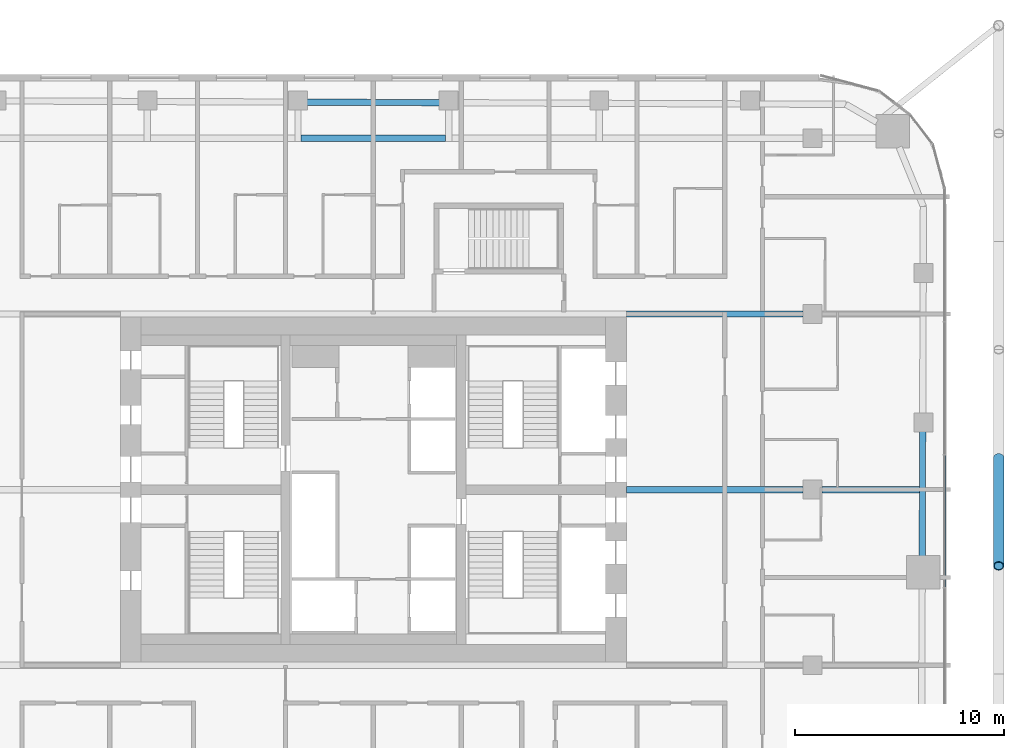
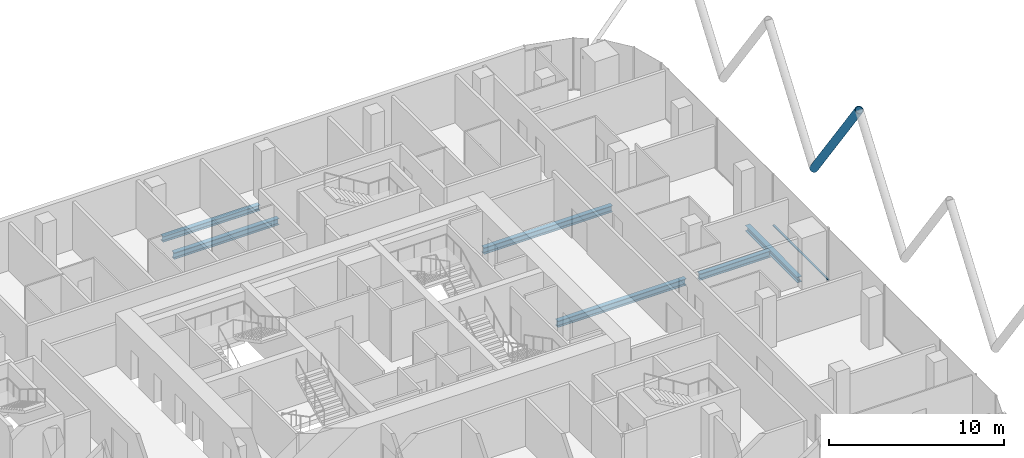
# One storey, part 12 of 33: 6 beams, 2 members, 1 element without a shape of its own.
"""IFC4 building model written with IfcOpenShell, lengths in metres."""

import ifcopenshell
import ifcopenshell.guid

model = None  # the IFC model being written
_history = None  # IfcOwnerHistory: only IFC2X3 demands one
_inside = {}  # id of a spatial element -> (the spatial element, [elements in it])
_under = {}  # id of a project, library or spatial element -> (it, [spatial elements below it])
_declared = {}  # id of a project -> (the project, [libraries it declares])
_typed = {}  # id of a type object -> (the type object, [elements of that type])
_made_of = {}  # id of a material, layer set ... -> (it, [elements and type objects made of it])


def new_model(schema):
    """Start an empty IFC model of exactly this schema.

    Asked for "IFC4X3", IfcOpenShell would pick the latest addendum, in which some entities
    have other attributes; the version numbers below select the first issue.
    IFC2X3 requires an IfcOwnerHistory on every rooted entity: one is made here for all.
    """
    global model, _history
    if schema == "IFC4X3":
        model = ifcopenshell.file(schema_version=(4, 3, 0, 0))
    else:
        model = ifcopenshell.file(schema=schema)
    _inside.clear()
    _under.clear()
    _declared.clear()
    _typed.clear()
    _made_of.clear()
    _history = None
    if model.schema == "IFC2X3":
        org = make("IfcOrganization", Name="unknown")
        user = make(
            "IfcPersonAndOrganization",
            ThePerson=make("IfcPerson", FamilyName="unknown"),
            TheOrganization=org,
        )
        app = make(
            "IfcApplication",
            ApplicationDeveloper=org,
            Version="unknown",
            ApplicationFullName="unknown",
            ApplicationIdentifier="unknown",
        )
        _history = make(
            "IfcOwnerHistory",
            OwningUser=user,
            OwningApplication=app,
            ChangeAction="ADDED",
            CreationDate=0,
        )
    return model


def make(cls, **values):
    """One entity of the class cls with the attributes given. An attribute that is None is left unset."""
    return model.create_entity(
        cls, **{name: value for name, value in values.items() if value is not None}
    )


def rooted(cls, **values):
    """An entity with a GlobalId (a new one), such as an element, a storey or a relation."""
    return make(cls, GlobalId=ifcopenshell.guid.new(), OwnerHistory=_history, **values)


def si_unit(unit_type, name, prefix=None):
    """IfcSIUnit, for example si_unit("LENGTHUNIT", "METRE", prefix="MILLI")."""
    return make("IfcSIUnit", UnitType=unit_type, Prefix=prefix, Name=name)


def assignment(units):
    """IfcUnitAssignment: the units of a project."""
    return None if units is None else make("IfcUnitAssignment", Units=units)


def point(xyz):
    """IfcCartesianPoint."""
    return None if xyz is None else make("IfcCartesianPoint", Coordinates=xyz)


def direction(xyz):
    """IfcDirection."""
    return None if xyz is None else make("IfcDirection", DirectionRatios=xyz)


def frame(location, z_axis=None, x_axis=None):
    """IfcAxis2Placement3D, a coordinate frame: its origin and axes. An axis left out is left unset."""
    return make(
        "IfcAxis2Placement3D",
        Location=point(location),
        Axis=direction(z_axis),
        RefDirection=direction(x_axis),
    )


def frame_2d(location, x_axis=None):
    """IfcAxis2Placement2D, a coordinate frame in the plane: its origin and x axis."""
    return make(
        "IfcAxis2Placement2D", Location=point(location), RefDirection=direction(x_axis)
    )


def origin():
    """The frame at (0, 0, 0) with its axes left unset."""
    return frame((0.0, 0.0, 0.0))


def origin_2d():
    """The frame at (0, 0) in the plane with its x axis left unset."""
    return frame_2d((0.0, 0.0))


def place(relative_to, where):
    """IfcLocalPlacement: puts the frame where relative to a parent placement (None: the world)."""
    return make(
        "IfcLocalPlacement", PlacementRelTo=relative_to, RelativePlacement=where
    )


def context(
    kind, dimensions, precision=None, world=None, true_north=None, identifier=None
):
    """IfcGeometricRepresentationContext, for example the 3D "Model" context."""
    return make(
        "IfcGeometricRepresentationContext",
        ContextIdentifier=identifier,
        ContextType=kind,
        CoordinateSpaceDimension=dimensions,
        Precision=precision,
        WorldCoordinateSystem=world,
        TrueNorth=true_north,
    )


def subcontext(parent, identifier, kind, view, scale=None):
    """IfcGeometricRepresentationSubContext, for example "Body" below "Model"."""
    return make(
        "IfcGeometricRepresentationSubContext",
        ContextIdentifier=identifier,
        ContextType=kind,
        ParentContext=parent,
        TargetScale=scale,
        TargetView=view,
    )


def project(units=None, contexts=None):
    """IfcProject with its units and contexts."""
    return rooted(
        "IfcProject",
        Name="project",
        RepresentationContexts=contexts,
        UnitsInContext=assignment(units),
    )


def spatial(cls, under=None, at=None, **own):
    """A site, building, storey or space (cls), placed at a placement, below another one or the project."""
    s = rooted(cls, ObjectPlacement=at, **own)
    if under is not None:
        _under.setdefault(under.id(), (under, []))[1].append(s)
    return s


def profile(cls, at=None, kind="AREA", **sizes):
    """A parametric profile (cls). Its sizes go by their IFC names, for example OverallWidth=200.0."""
    return make(cls, ProfileType=kind, Position=at, **sizes)


def rectangle(**sizes):
    """IfcRectangleProfileDef."""
    return profile("IfcRectangleProfileDef", **sizes)


def hollow_circle(**sizes):
    """IfcCircleHollowProfileDef."""
    return profile("IfcCircleHollowProfileDef", **sizes)


def i_section(**sizes):
    """IfcIShapeProfileDef."""
    return profile("IfcIShapeProfileDef", **sizes)


def extrude(swept, where, along, depth):
    """IfcExtrudedAreaSolid: the profile swept, set in the frame where, extruded along a direction by depth."""
    return make(
        "IfcExtrudedAreaSolid",
        SweptArea=swept,
        Position=where,
        ExtrudedDirection=direction(along),
        Depth=depth,
    )


def shape(context_of_items, identifier, shape_type, items):
    """IfcShapeRepresentation: the items that make up one representation, for example the "Body"."""
    return make(
        "IfcShapeRepresentation",
        ContextOfItems=context_of_items,
        RepresentationIdentifier=identifier,
        RepresentationType=shape_type,
        Items=items,
    )


def material(Name=None, Category=None):
    """IfcMaterial."""
    return make("IfcMaterial", Name=Name, Category=Category)


def layer(
    of_material, thickness, ventilated=None, Name=None, Category=None, Priority=None
):
    """IfcMaterialLayer: one layer of a wall or slab, of a material (None: an air gap)."""
    return make(
        "IfcMaterialLayer",
        Material=of_material,
        LayerThickness=thickness,
        IsVentilated=ventilated,
        Name=Name,
        Category=Category,
        Priority=Priority,
    )


def layer_set(layers, Name=None):
    """IfcMaterialLayerSet."""
    return make("IfcMaterialLayerSet", MaterialLayers=layers, LayerSetName=Name)


def material_profile(
    of_material, cross_section, Name=None, Category=None, Priority=None
):
    """IfcMaterialProfile: a cross section and its material."""
    return make(
        "IfcMaterialProfile",
        Name=Name,
        Material=of_material,
        Profile=cross_section,
        Priority=Priority,
        Category=Category,
    )


def profile_set(profiles, Name=None, composite=None):
    """IfcMaterialProfileSet."""
    return make(
        "IfcMaterialProfileSet",
        Name=Name,
        MaterialProfiles=profiles,
        CompositeProfile=composite,
    )


def made_of(thing, what):
    """Note that an element or type object is made of a material, layer set ...; save() writes the relation."""
    if what is not None:
        _made_of.setdefault(what.id(), (what, []))[1].append(thing)
    return thing


def type_object(cls, material=None, **own):
    """A type object (cls), such as IfcWallType, which elements share."""
    return made_of(rooted(cls, **own), material)


def element(
    cls,
    number,
    at=None,
    inside=None,
    cuts=None,
    type_object=None,
    material=None,
    context=None,
    identifier="Body",
    shape_type=None,
    held_by="IfcProductDefinitionShape",
    body=None,
    shapes=None,
    **own,
):
    """One element of the class cls, such as IfcWall. Its Tag is "e" and its number.

    at: its placement. inside: the storey or other place that contains it. cuts: it is an
    opening in that element (IfcRelVoidsElement). A single representation is given by context,
    identifier, shape_type and body (its items); several are given by shapes. held_by: the class
    of the entity that holds the representations. save() writes the other relations.
    """
    e = rooted(cls, Tag="e%d" % number, ObjectPlacement=at, **own)
    if body is not None:
        shapes = [shape(context, identifier, shape_type, body)]
    if shapes is not None:
        e.Representation = make(held_by, Representations=shapes)
    if inside is not None:
        _inside.setdefault(inside.id(), (inside, []))[1].append(e)
    if cuts is not None:
        rooted(
            "IfcRelVoidsElement", RelatingBuildingElement=cuts, RelatedOpeningElement=e
        )
    if type_object is not None:
        _typed.setdefault(type_object.id(), (type_object, []))[1].append(e)
    return made_of(e, material)


def aggregate(whole, parts):
    """IfcRelAggregates: a whole, such as a stair, and the parts it consists of."""
    return rooted("IfcRelAggregates", RelatingObject=whole, RelatedObjects=parts)


def save(model, path):
    """Write the relations noted so far, then the file.

    IfcRelAggregates (storeys below a building ...), IfcRelContainedInSpatialStructure (elements
    in a storey), IfcRelDefinesByType, IfcRelAssociatesMaterial and IfcRelDeclares: one each for
    every whole, place, type object, material and project.
    """
    for whole, parts in _under.values():
        aggregate(whole, parts)
    for where, things in _inside.values():
        rooted(
            "IfcRelContainedInSpatialStructure",
            RelatedElements=things,
            RelatingStructure=where,
        )
    for kind, things in _typed.values():
        rooted("IfcRelDefinesByType", RelatedObjects=things, RelatingType=kind)
    for what, things in _made_of.values():
        rooted("IfcRelAssociatesMaterial", RelatedObjects=things, RelatingMaterial=what)
    for by, libraries in _declared.values():
        rooted("IfcRelDeclares", RelatingContext=by, RelatedDefinitions=libraries)
    model.write(path)


model = new_model("IFC4")

# Units and contexts
model_context = context("Model", 3, precision=1e-05, world=origin(), true_north=direction((0.0, 1.0)))
body_context = subcontext(model_context, "Body", "Model", "MODEL_VIEW")
ifc_project = project(units=[si_unit("LENGTHUNIT", "METRE"), si_unit("AREAUNIT", "SQUARE_METRE"), si_unit("VOLUMEUNIT", "CUBIC_METRE"), si_unit("PLANEANGLEUNIT", "RADIAN"), si_unit("MASSUNIT", "GRAM", prefix="KILO")], contexts=[model_context])

# Site, building, storey
site_placement = place(None, origin())
site = spatial("IfcSite", under=ifc_project, at=site_placement, CompositionType="ELEMENT")
building_placement = place(site_placement, origin())
building = spatial("IfcBuilding", under=site, at=building_placement, Name="Marenta Gate Hotel Tower", CompositionType="ELEMENT")
storey_placement = place(building_placement, frame((0.0, 0.0, 122.89990234375)))
storey = spatial("IfcBuildingStorey", under=building, at=storey_placement, Name="L27", CompositionType="ELEMENT", Elevation=122.89990234375)

# Member
ifc_material_1 = material(Name="Steel S355J2W", Category="steel")
ifc_material_profile_1 = material_profile(ifc_material_1, hollow_circle(Radius=0.25390625, WallThickness=0.0400390625, at=origin_2d()), Name="CHS 508x40")
ifc_profile_set_1 = profile_set([ifc_material_profile_1], Name="Steel S355J2W")
member_type_1 = type_object("IfcMemberType", Name="Diagrid diagonal Z2 CHS 508x40", PredefinedType="BRACE", material=ifc_profile_set_1)
member_1_placement = place(storey_placement, frame((29.89990234375, 9.919921875, 3.14013671875), z_axis=(0.0, -0.583260841117, 0.812284919975), x_axis=(1.0, 0.0, 0.0)))
element("IfcMember", 1, at=member_1_placement, inside=storey, type_object=member_type_1, Name="L27-DG-5", PredefinedType="BRACE", context=body_context, shape_type="SweptSolid", body=[
    extrude(hollow_circle(Radius=0.25390625, WallThickness=0.0400390625, at=origin_2d()), origin(), (0.0, 0.0, 1.0), 8.86376953125),
])

# Beams
ifc_material_2 = material(Name="Steel S355", Category="steel")
ifc_material_profile_2 = material_profile(ifc_material_2, i_section(OverallWidth=0.300048828125, OverallDepth=0.39990234375, WebThickness=0.013427734375, FlangeThickness=0.02392578125, FilletRadius=0.027099609375, at=origin_2d()), Name="HEB 400")
ifc_profile_set_2 = profile_set([ifc_material_profile_2], Name="Steel S355")
beam_type_1 = type_object("IfcBeamType", Name="Edge beam HEB 400", PredefinedType="SPANDREL", material=ifc_profile_set_2)
beam_1_placement = place(storey_placement, frame((-3.19140625, 26.926513671875, -0.4599609375), z_axis=(0.999991624938, -0.004092682982, 0.0), x_axis=(0.004092682982, 0.999991624938, 0.0)))
element("IfcBeam", 2, at=beam_1_placement, inside=storey, type_object=beam_type_1, Name="L27-EB-16", PredefinedType="SPANDREL", context=body_context, shape_type="SweptSolid", body=[
    extrude(i_section(OverallWidth=0.300048828125, OverallDepth=0.39990234375, WebThickness=0.013427734375, FlangeThickness=0.02392578125, FilletRadius=0.027099609375, at=origin_2d()), origin(), (0.0, 0.0, 1.0), 6.3828125),
])
beam_2_placement = place(storey_placement, frame((26.26416015625, 11.193115234375, -0.4599609375), z_axis=(-0.003305160059, -0.999994537944, 0.0), x_axis=(0.999994537944, -0.003305160059, 0.0)))
element("IfcBeam", 3, at=beam_2_placement, inside=storey, type_object=beam_type_1, Name="L27-EB-24", PredefinedType="SPANDREL", context=body_context, shape_type="SweptSolid", body=[
    extrude(i_section(OverallWidth=0.300048828125, OverallDepth=0.39990234375, WebThickness=0.013427734375, FlangeThickness=0.02392578125, FilletRadius=0.027099609375, at=origin_2d()), origin(), (0.0, 0.0, 1.0), 5.983154296875),
])
ifc_material_3 = material(Name="Steel S355", Category="steel")
ifc_material_profile_3 = material_profile(ifc_material_3, i_section(OverallWidth=0.300048828125, OverallDepth=0.449951171875, WebThickness=0.013916015625, FlangeThickness=0.02587890625, FilletRadius=0.027099609375, at=origin_2d()), Name="HEB 450")
ifc_profile_set_3 = profile_set([ifc_material_profile_3], Name="Steel S355")
beam_type_2 = type_object("IfcBeamType", Name="Girder HEB 450", PredefinedType="BEAM", material=ifc_profile_set_3)
beam_3_placement = place(storey_placement, frame((12.10009765625, 8.39990234375, -0.48486328125), z_axis=(1.0, 0.0, 0.0), x_axis=(0.0, 1.0, 0.0)))
element("IfcBeam", 4, at=beam_3_placement, inside=storey, type_object=beam_type_2, Name="L27-GD-22", PredefinedType="BEAM", context=body_context, shape_type="SweptSolid", body=[
    extrude(i_section(OverallWidth=0.300048828125, OverallDepth=0.449951171875, WebThickness=0.013916015625, FlangeThickness=0.02587890625, FilletRadius=0.027099609375, at=origin_2d()), origin(), (0.0, 0.0, 1.0), 8.449951171875),
])
beam_4_placement = place(storey_placement, frame((21.449951171875, 8.39990234375, -0.48486328125), z_axis=(1.0, 0.0, 0.0), x_axis=(0.0, 1.0, 0.0)))
element("IfcBeam", 5, at=beam_4_placement, inside=storey, type_object=beam_type_2, Name="L27-GD-23", PredefinedType="BEAM", context=body_context, shape_type="SweptSolid", body=[
    extrude(i_section(OverallWidth=0.300048828125, OverallDepth=0.449951171875, WebThickness=0.013916015625, FlangeThickness=0.02587890625, FilletRadius=0.027099609375, at=origin_2d()), origin(), (0.0, 0.0, 1.0), 4.655029296875),
])
beam_5_placement = place(storey_placement, frame((12.10009765625, 16.800048828125, -0.48486328125), z_axis=(1.0, 0.0, 0.0), x_axis=(0.0, 1.0, 0.0)))
element("IfcBeam", 6, at=beam_5_placement, inside=storey, type_object=beam_type_2, Name="L27-GD-27", PredefinedType="BEAM", context=body_context, shape_type="SweptSolid", body=[
    extrude(i_section(OverallWidth=0.300048828125, OverallDepth=0.449951171875, WebThickness=0.013916015625, FlangeThickness=0.02587890625, FilletRadius=0.027099609375, at=origin_2d()), origin(), (0.0, 0.0, 1.0), 8.449951171875),
])
beam_6_placement = place(storey_placement, frame((-3.451416015625, 25.199951171875, -0.48486328125), z_axis=(1.0, 0.0, 0.0), x_axis=(0.0, 1.0, 0.0)))
element("IfcBeam", 7, at=beam_6_placement, inside=storey, type_object=beam_type_2, Name="L27-GD-32", PredefinedType="BEAM", context=body_context, shape_type="SweptSolid", body=[
    extrude(i_section(OverallWidth=0.300048828125, OverallDepth=0.449951171875, WebThickness=0.013916015625, FlangeThickness=0.02587890625, FilletRadius=0.027099609375, at=origin_2d()), origin(), (0.0, 0.0, 1.0), 6.90283203125),
])

# Curtain wall, member
ifc_material_4 = material(Name="Tinted insulated glass in bronze anodised frame", Category="glass")
ifc_layer = layer(ifc_material_4, 0.1201171875)
ifc_layer_set = layer_set([ifc_layer], Name="Tinted insulated glass in bronze anodised frame")
curtain_wall_type = type_object("IfcCurtainWallType", Name="Tower unitised curtain wall CW1", PredefinedType="NOTDEFINED", material=ifc_layer_set)
curtain_wall_placement = place(storey_placement, origin())
curtain_wall = element("IfcCurtainWall", 8, at=curtain_wall_placement, inside=storey, type_object=curtain_wall_type, Name="CW1 run G19", PredefinedType="NOTDEFINED")
ifc_material_5 = material(Name="Bronze anodised aluminium", Category="aluminium")
ifc_material_profile_4 = material_profile(ifc_material_5, rectangle(XDim=0.1201171875, YDim=0.06005859375, at=origin_2d()), Name="Transom CW1 60x120 bronze anodised aluminium")
ifc_profile_set_4 = profile_set([ifc_material_profile_4], Name="Bronze anodised aluminium")
member_type_2 = type_object("IfcMemberType", Name="Transom CW1 60x120 bronze anodised aluminium", PredefinedType="USERDEFINED", material=ifc_profile_set_4)
member_2_placement = place(storey_placement, frame((27.31396484375, 3.741943359375, 0.030029296875), z_axis=(0.0, 1.0, 0.0), x_axis=(-1.0, 0.0, 0.0)))
member_2 = element("IfcMember", 9, at=member_2_placement, type_object=member_type_2, Name="CW1 transom 4.1", ObjectType="TRANSOM", PredefinedType="USERDEFINED", context=body_context, shape_type="SweptSolid", body=[
    extrude(rectangle(XDim=0.1201171875, YDim=0.06005859375, at=origin_2d()), origin(), (0.0, 0.0, 1.0), 6.300048828125),
])
aggregate(curtain_wall, [member_2])

save(model, "model.ifc")
